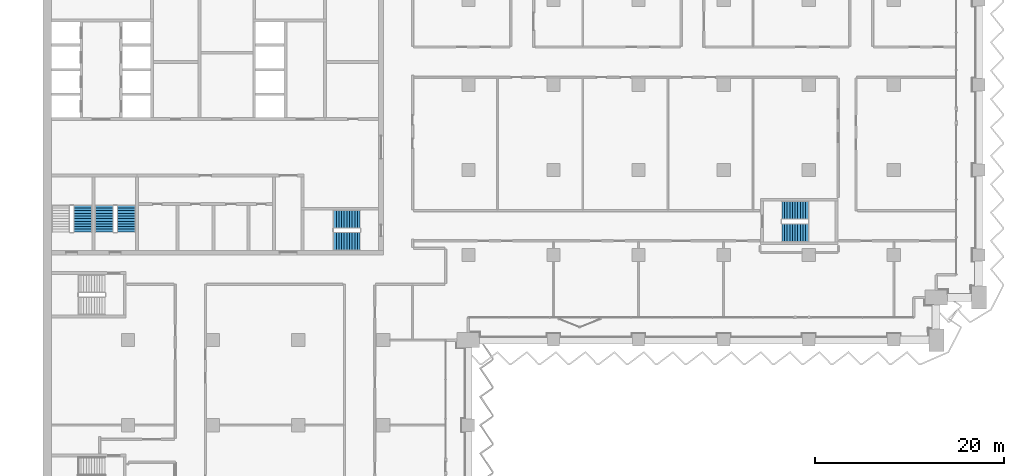
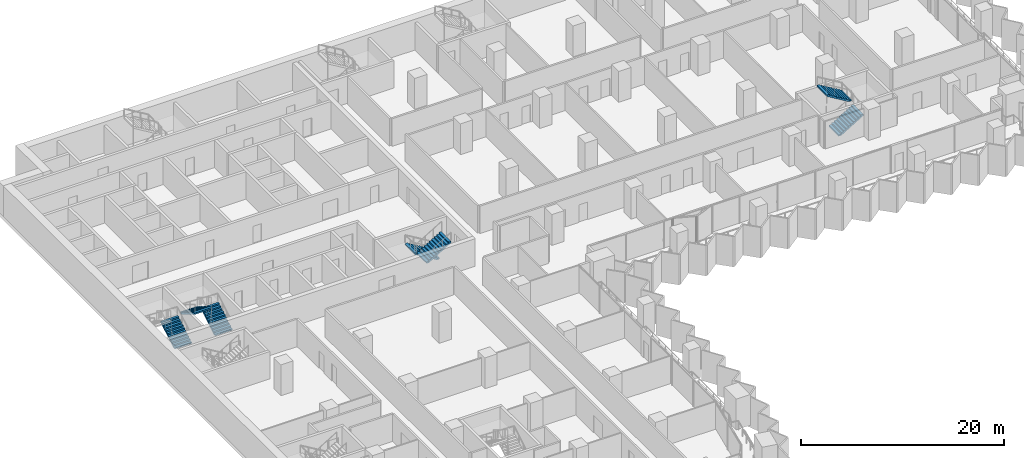
# One storey, part 20 of 28: 7 stair flights, 4 elements without a shape of their own.
"""IFC4 building model written with IfcOpenShell, lengths in metres."""

from ifc_helpers import new_model, si_unit, direction, frame, origin, place, context, subcontext, project, spatial, polyline, outline, extrude, material, type_object, element, aggregate, save


model = new_model("IFC4")

# Units and contexts
model_context = context("Model", 3, precision=1e-05, world=origin(), true_north=direction((0.0, 1.0)))
body_context = subcontext(model_context, "Body", "Model", "MODEL_VIEW")
ifc_project = project(units=[si_unit("LENGTHUNIT", "METRE"), si_unit("AREAUNIT", "SQUARE_METRE"), si_unit("VOLUMEUNIT", "CUBIC_METRE"), si_unit("PLANEANGLEUNIT", "RADIAN"), si_unit("MASSUNIT", "GRAM", prefix="KILO")], contexts=[model_context])

# Site, building, storey
site_placement = place(None, origin())
site = spatial("IfcSite", under=ifc_project, at=site_placement, CompositionType="ELEMENT")
building_placement = place(site_placement, origin())
building = spatial("IfcBuilding", under=site, at=building_placement, Name="Hunhe Ridgeline Campus", CompositionType="ELEMENT")
storey_placement = place(building_placement, frame((0.0, 0.0, 39.5)))
storey = spatial("IfcBuildingStorey", under=building, at=storey_placement, Name="L08", CompositionType="ELEMENT", Elevation=39.5)

# Stair, stair flights
ifc_material = material(Name="Concrete C40", Category="concrete")
stair_type = type_object("IfcStairType", Name="Reinforced concrete dog-leg stair 1950 Concrete C40", PredefinedType="HALF_TURN_STAIR", material=ifc_material)
stair_1_placement = place(storey_placement, origin())
stair_1 = element("IfcStair", 1, at=stair_1_placement, inside=storey, type_object=stair_type, Name="L08 S2", PredefinedType="HALF_TURN_STAIR")
stair_flight_type = type_object("IfcStairFlightType", Name="Reinforced concrete stair flight 1950 Concrete C40", PredefinedType="STRAIGHT", material=ifc_material)
stair_flight_1_placement = place(storey_placement, frame((33.550048828125, 66.77490234375, 0.0), z_axis=(0.0, 0.0, 1.0), x_axis=(-1.0, 0.0, 0.0)))
stair_flight_1 = element("IfcStairFlight", 2, at=stair_flight_1_placement, type_object=stair_flight_type, Name="ST2 flight 1", NumberOfRisers=11, NumberOfTreads=10, PredefinedType="STRAIGHT", RiserHeight=0.168181818, TreadLength=0.28, context=body_context, shape_type="SweptSolid", body=[
    extrude(outline(polyline([(0.0, 0.0), (0.0, 0.168212890625), (0.280029296875, 0.168212890625), (0.280029296875, 0.33642578125), (0.56005859375, 0.33642578125), (0.56005859375, 0.504638671875), (0.840087890625, 0.504638671875), (0.840087890625, 0.672607421875), (1.1201171875, 0.672607421875), (1.1201171875, 0.8408203125), (1.39990234375, 0.8408203125), (1.39990234375, 1.009033203125), (1.679931640625, 1.009033203125), (1.679931640625, 1.17724609375), (1.9599609375, 1.17724609375), (1.9599609375, 1.345458984375), (2.239990234375, 1.345458984375), (2.239990234375, 1.513671875), (2.52001953125, 1.513671875), (2.52001953125, 1.681884765625), (2.800048828125, 1.681884765625), (2.800048828125, 1.85009765625), (2.800048828125, 1.5068359375), (0.291015625, 0.0), (0.0, 0.0)])), frame((0.0, 0.97509765625, 0.0), z_axis=(0.0, -1.0, 0.0), x_axis=(1.0, 0.0, 0.0)), (0.0, 0.0, 1.0), 1.949951171875),
    extrude(outline(polyline([(0.030029296875, 0.030029296875), (0.030029296875, 0.13818359375), (0.31005859375, 0.13818359375), (0.31005859375, 0.306396484375), (0.590087890625, 0.306396484375), (0.590087890625, 0.474609375), (0.8701171875, 0.474609375), (0.8701171875, 0.642578125), (1.14990234375, 0.642578125), (1.14990234375, 0.810791015625), (1.429931640625, 0.810791015625), (1.429931640625, 0.97900390625), (1.7099609375, 0.97900390625), (1.7099609375, 1.147216796875), (1.989990234375, 1.147216796875), (1.989990234375, 1.3154296875), (2.27001953125, 1.3154296875), (2.27001953125, 1.483642578125), (2.550048828125, 1.483642578125), (2.550048828125, 1.65185546875), (2.77001953125, 1.65185546875), (2.77001953125, 1.52392578125), (0.28271484375, 0.030029296875), (0.030029296875, 0.030029296875)])), frame((0.0, -0.070068359375, 0.0), z_axis=(0.0, -1.0, 0.0), x_axis=(1.0, 0.0, 0.0)), (0.0, 0.0, 1.0), 0.019775390625),
    extrude(outline(polyline([(0.030029296875, 0.030029296875), (0.030029296875, 0.13818359375), (0.31005859375, 0.13818359375), (0.31005859375, 0.306396484375), (0.590087890625, 0.306396484375), (0.590087890625, 0.474609375), (0.8701171875, 0.474609375), (0.8701171875, 0.642578125), (1.14990234375, 0.642578125), (1.14990234375, 0.810791015625), (1.429931640625, 0.810791015625), (1.429931640625, 0.97900390625), (1.7099609375, 0.97900390625), (1.7099609375, 1.147216796875), (1.989990234375, 1.147216796875), (1.989990234375, 1.3154296875), (2.27001953125, 1.3154296875), (2.27001953125, 1.483642578125), (2.550048828125, 1.483642578125), (2.550048828125, 1.65185546875), (2.77001953125, 1.65185546875), (2.77001953125, 1.52392578125), (0.28271484375, 0.030029296875), (0.030029296875, 0.030029296875)])), frame((0.0, 0.010009765625, 0.0), z_axis=(0.0, -1.0, 0.0), x_axis=(1.0, 0.0, 0.0)), (0.0, 0.0, 1.0), 0.019775390625),
    extrude(outline(polyline([(0.030029296875, 0.030029296875), (0.030029296875, 0.13818359375), (0.31005859375, 0.13818359375), (0.31005859375, 0.306396484375), (0.590087890625, 0.306396484375), (0.590087890625, 0.474609375), (0.8701171875, 0.474609375), (0.8701171875, 0.642578125), (1.14990234375, 0.642578125), (1.14990234375, 0.810791015625), (1.429931640625, 0.810791015625), (1.429931640625, 0.97900390625), (1.7099609375, 0.97900390625), (1.7099609375, 1.147216796875), (1.989990234375, 1.147216796875), (1.989990234375, 1.3154296875), (2.27001953125, 1.3154296875), (2.27001953125, 1.483642578125), (2.550048828125, 1.483642578125), (2.550048828125, 1.65185546875), (2.77001953125, 1.65185546875), (2.77001953125, 1.52392578125), (0.28271484375, 0.030029296875), (0.030029296875, 0.030029296875)])), frame((0.0, 0.090087890625, 0.0), z_axis=(0.0, -1.0, 0.0), x_axis=(1.0, 0.0, 0.0)), (0.0, 0.0, 1.0), 0.019775390625),
])
stair_flight_2_placement = place(storey_placement, frame((30.75, 64.47509765625, 1.85009765625), z_axis=(0.0, 0.0, 1.0), x_axis=(1.0, 0.0, 0.0)))
stair_flight_2 = element("IfcStairFlight", 3, at=stair_flight_2_placement, type_object=stair_flight_type, Name="ST2 flight 2", NumberOfRisers=11, NumberOfTreads=10, PredefinedType="STRAIGHT", RiserHeight=0.168181818, TreadLength=0.28, context=body_context, shape_type="SweptSolid", body=[
    extrude(outline(polyline([(0.0, 0.0), (0.0, 0.168212890625), (0.280029296875, 0.168212890625), (0.280029296875, 0.33642578125), (0.56005859375, 0.33642578125), (0.56005859375, 0.504638671875), (0.840087890625, 0.504638671875), (0.840087890625, 0.672607421875), (1.1201171875, 0.672607421875), (1.1201171875, 0.8408203125), (1.39990234375, 0.8408203125), (1.39990234375, 1.009033203125), (1.679931640625, 1.009033203125), (1.679931640625, 1.17724609375), (1.9599609375, 1.17724609375), (1.9599609375, 1.345458984375), (2.239990234375, 1.345458984375), (2.239990234375, 1.513671875), (2.52001953125, 1.513671875), (2.52001953125, 1.681884765625), (2.800048828125, 1.681884765625), (2.800048828125, 1.85009765625), (2.800048828125, 1.5068359375), (0.291015625, 0.0), (0.0, 0.0)])), frame((0.0, 0.97509765625, 0.0), z_axis=(0.0, -1.0, 0.0), x_axis=(1.0, 0.0, 0.0)), (0.0, 0.0, 1.0), 1.949951171875),
    extrude(outline(polyline([(0.030029296875, 0.030029296875), (0.030029296875, 0.13818359375), (0.31005859375, 0.13818359375), (0.31005859375, 0.306396484375), (0.590087890625, 0.306396484375), (0.590087890625, 0.474609375), (0.8701171875, 0.474609375), (0.8701171875, 0.642578125), (1.14990234375, 0.642578125), (1.14990234375, 0.810791015625), (1.429931640625, 0.810791015625), (1.429931640625, 0.97900390625), (1.7099609375, 0.97900390625), (1.7099609375, 1.147216796875), (1.989990234375, 1.147216796875), (1.989990234375, 1.3154296875), (2.27001953125, 1.3154296875), (2.27001953125, 1.483642578125), (2.550048828125, 1.483642578125), (2.550048828125, 1.65185546875), (2.77001953125, 1.65185546875), (2.77001953125, 1.52392578125), (0.28271484375, 0.030029296875), (0.030029296875, 0.030029296875)])), frame((0.0, -0.070068359375, 0.0), z_axis=(0.0, -1.0, 0.0), x_axis=(1.0, 0.0, 0.0)), (0.0, 0.0, 1.0), 0.019775390625),
    extrude(outline(polyline([(0.030029296875, 0.030029296875), (0.030029296875, 0.13818359375), (0.31005859375, 0.13818359375), (0.31005859375, 0.306396484375), (0.590087890625, 0.306396484375), (0.590087890625, 0.474609375), (0.8701171875, 0.474609375), (0.8701171875, 0.642578125), (1.14990234375, 0.642578125), (1.14990234375, 0.810791015625), (1.429931640625, 0.810791015625), (1.429931640625, 0.97900390625), (1.7099609375, 0.97900390625), (1.7099609375, 1.147216796875), (1.989990234375, 1.147216796875), (1.989990234375, 1.3154296875), (2.27001953125, 1.3154296875), (2.27001953125, 1.483642578125), (2.550048828125, 1.483642578125), (2.550048828125, 1.65185546875), (2.77001953125, 1.65185546875), (2.77001953125, 1.52392578125), (0.28271484375, 0.030029296875), (0.030029296875, 0.030029296875)])), frame((0.0, 0.010009765625, 0.0), z_axis=(0.0, -1.0, 0.0), x_axis=(1.0, 0.0, 0.0)), (0.0, 0.0, 1.0), 0.019775390625),
    extrude(outline(polyline([(0.030029296875, 0.030029296875), (0.030029296875, 0.13818359375), (0.31005859375, 0.13818359375), (0.31005859375, 0.306396484375), (0.590087890625, 0.306396484375), (0.590087890625, 0.474609375), (0.8701171875, 0.474609375), (0.8701171875, 0.642578125), (1.14990234375, 0.642578125), (1.14990234375, 0.810791015625), (1.429931640625, 0.810791015625), (1.429931640625, 0.97900390625), (1.7099609375, 0.97900390625), (1.7099609375, 1.147216796875), (1.989990234375, 1.147216796875), (1.989990234375, 1.3154296875), (2.27001953125, 1.3154296875), (2.27001953125, 1.483642578125), (2.550048828125, 1.483642578125), (2.550048828125, 1.65185546875), (2.77001953125, 1.65185546875), (2.77001953125, 1.52392578125), (0.28271484375, 0.030029296875), (0.030029296875, 0.030029296875)])), frame((0.0, 0.090087890625, 0.0), z_axis=(0.0, -1.0, 0.0), x_axis=(1.0, 0.0, 0.0)), (0.0, 0.0, 1.0), 0.019775390625),
])
aggregate(stair_1, [stair_flight_1, stair_flight_2])

# Stair, stair flight
stair_2_placement = place(storey_placement, origin())
stair_2 = element("IfcStair", 4, at=stair_2_placement, inside=storey, type_object=stair_type, Name="L08 S3", PredefinedType="HALF_TURN_STAIR")
stair_flight_3_placement = place(storey_placement, frame((4.22509765625, 65.449951171875, 0.0), z_axis=(0.0, 0.0, 1.0), x_axis=(0.0, 1.0, 0.0)))
stair_flight_3 = element("IfcStairFlight", 5, at=stair_flight_3_placement, type_object=stair_flight_type, Name="ST3 flight 1", NumberOfRisers=11, NumberOfTreads=10, PredefinedType="STRAIGHT", RiserHeight=0.168181818, TreadLength=0.28, context=body_context, shape_type="SweptSolid", body=[
    extrude(outline(polyline([(0.0, 0.0), (0.0, 0.168212890625), (0.280029296875, 0.168212890625), (0.280029296875, 0.33642578125), (0.56005859375, 0.33642578125), (0.56005859375, 0.504638671875), (0.840087890625, 0.504638671875), (0.840087890625, 0.672607421875), (1.1201171875, 0.672607421875), (1.1201171875, 0.8408203125), (1.39990234375, 0.8408203125), (1.39990234375, 1.009033203125), (1.679931640625, 1.009033203125), (1.679931640625, 1.17724609375), (1.9599609375, 1.17724609375), (1.9599609375, 1.345458984375), (2.239990234375, 1.345458984375), (2.239990234375, 1.513671875), (2.52001953125, 1.513671875), (2.52001953125, 1.681884765625), (2.800048828125, 1.681884765625), (2.800048828125, 1.85009765625), (2.800048828125, 1.5068359375), (0.291015625, 0.0), (0.0, 0.0)])), frame((0.0, 0.97509765625, 0.0), z_axis=(0.0, -1.0, 0.0), x_axis=(1.0, 0.0, 0.0)), (0.0, 0.0, 1.0), 1.949951171875),
    extrude(outline(polyline([(0.030029296875, 0.030029296875), (0.030029296875, 0.13818359375), (0.31005859375, 0.13818359375), (0.31005859375, 0.306396484375), (0.590087890625, 0.306396484375), (0.590087890625, 0.474609375), (0.8701171875, 0.474609375), (0.8701171875, 0.642578125), (1.14990234375, 0.642578125), (1.14990234375, 0.810791015625), (1.429931640625, 0.810791015625), (1.429931640625, 0.97900390625), (1.7099609375, 0.97900390625), (1.7099609375, 1.147216796875), (1.989990234375, 1.147216796875), (1.989990234375, 1.3154296875), (2.27001953125, 1.3154296875), (2.27001953125, 1.483642578125), (2.550048828125, 1.483642578125), (2.550048828125, 1.65185546875), (2.77001953125, 1.65185546875), (2.77001953125, 1.52392578125), (0.28271484375, 0.030029296875), (0.030029296875, 0.030029296875)])), frame((0.0, -0.070068359375, 0.0), z_axis=(0.0, -1.0, 0.0), x_axis=(1.0, 0.0, 0.0)), (0.0, 0.0, 1.0), 0.019775390625),
    extrude(outline(polyline([(0.030029296875, 0.030029296875), (0.030029296875, 0.13818359375), (0.31005859375, 0.13818359375), (0.31005859375, 0.306396484375), (0.590087890625, 0.306396484375), (0.590087890625, 0.474609375), (0.8701171875, 0.474609375), (0.8701171875, 0.642578125), (1.14990234375, 0.642578125), (1.14990234375, 0.810791015625), (1.429931640625, 0.810791015625), (1.429931640625, 0.97900390625), (1.7099609375, 0.97900390625), (1.7099609375, 1.147216796875), (1.989990234375, 1.147216796875), (1.989990234375, 1.3154296875), (2.27001953125, 1.3154296875), (2.27001953125, 1.483642578125), (2.550048828125, 1.483642578125), (2.550048828125, 1.65185546875), (2.77001953125, 1.65185546875), (2.77001953125, 1.52392578125), (0.28271484375, 0.030029296875), (0.030029296875, 0.030029296875)])), frame((0.0, 0.010009765625, 0.0), z_axis=(0.0, -1.0, 0.0), x_axis=(1.0, 0.0, 0.0)), (0.0, 0.0, 1.0), 0.019775390625),
    extrude(outline(polyline([(0.030029296875, 0.030029296875), (0.030029296875, 0.13818359375), (0.31005859375, 0.13818359375), (0.31005859375, 0.306396484375), (0.590087890625, 0.306396484375), (0.590087890625, 0.474609375), (0.8701171875, 0.474609375), (0.8701171875, 0.642578125), (1.14990234375, 0.642578125), (1.14990234375, 0.810791015625), (1.429931640625, 0.810791015625), (1.429931640625, 0.97900390625), (1.7099609375, 0.97900390625), (1.7099609375, 1.147216796875), (1.989990234375, 1.147216796875), (1.989990234375, 1.3154296875), (2.27001953125, 1.3154296875), (2.27001953125, 1.483642578125), (2.550048828125, 1.483642578125), (2.550048828125, 1.65185546875), (2.77001953125, 1.65185546875), (2.77001953125, 1.52392578125), (0.28271484375, 0.030029296875), (0.030029296875, 0.030029296875)])), frame((0.0, 0.090087890625, 0.0), z_axis=(0.0, -1.0, 0.0), x_axis=(1.0, 0.0, 0.0)), (0.0, 0.0, 1.0), 0.019775390625),
])
aggregate(stair_2, [stair_flight_3])

# Stair, stair flights
stair_3_placement = place(storey_placement, origin())
stair_3 = element("IfcStair", 6, at=stair_3_placement, inside=storey, type_object=stair_type, Name="L08 S4", PredefinedType="HALF_TURN_STAIR")
stair_flight_4_placement = place(storey_placement, frame((8.824951171875, 65.449951171875, 0.0), z_axis=(0.0, 0.0, 1.0), x_axis=(0.0, 1.0, 0.0)))
stair_flight_4 = element("IfcStairFlight", 7, at=stair_flight_4_placement, type_object=stair_flight_type, Name="ST4 flight 1", NumberOfRisers=11, NumberOfTreads=10, PredefinedType="STRAIGHT", RiserHeight=0.168181818, TreadLength=0.28, context=body_context, shape_type="SweptSolid", body=[
    extrude(outline(polyline([(0.0, 0.0), (0.0, 0.168212890625), (0.280029296875, 0.168212890625), (0.280029296875, 0.33642578125), (0.56005859375, 0.33642578125), (0.56005859375, 0.504638671875), (0.840087890625, 0.504638671875), (0.840087890625, 0.672607421875), (1.1201171875, 0.672607421875), (1.1201171875, 0.8408203125), (1.39990234375, 0.8408203125), (1.39990234375, 1.009033203125), (1.679931640625, 1.009033203125), (1.679931640625, 1.17724609375), (1.9599609375, 1.17724609375), (1.9599609375, 1.345458984375), (2.239990234375, 1.345458984375), (2.239990234375, 1.513671875), (2.52001953125, 1.513671875), (2.52001953125, 1.681884765625), (2.800048828125, 1.681884765625), (2.800048828125, 1.85009765625), (2.800048828125, 1.5068359375), (0.291015625, 0.0), (0.0, 0.0)])), frame((0.0, 0.97509765625, 0.0), z_axis=(0.0, -1.0, 0.0), x_axis=(1.0, 0.0, 0.0)), (0.0, 0.0, 1.0), 1.949951171875),
    extrude(outline(polyline([(0.030029296875, 0.030029296875), (0.030029296875, 0.13818359375), (0.31005859375, 0.13818359375), (0.31005859375, 0.306396484375), (0.590087890625, 0.306396484375), (0.590087890625, 0.474609375), (0.8701171875, 0.474609375), (0.8701171875, 0.642578125), (1.14990234375, 0.642578125), (1.14990234375, 0.810791015625), (1.429931640625, 0.810791015625), (1.429931640625, 0.97900390625), (1.7099609375, 0.97900390625), (1.7099609375, 1.147216796875), (1.989990234375, 1.147216796875), (1.989990234375, 1.3154296875), (2.27001953125, 1.3154296875), (2.27001953125, 1.483642578125), (2.550048828125, 1.483642578125), (2.550048828125, 1.65185546875), (2.77001953125, 1.65185546875), (2.77001953125, 1.52392578125), (0.28271484375, 0.030029296875), (0.030029296875, 0.030029296875)])), frame((0.0, -0.070068359375, 0.0), z_axis=(0.0, -1.0, 0.0), x_axis=(1.0, 0.0, 0.0)), (0.0, 0.0, 1.0), 0.019775390625),
    extrude(outline(polyline([(0.030029296875, 0.030029296875), (0.030029296875, 0.13818359375), (0.31005859375, 0.13818359375), (0.31005859375, 0.306396484375), (0.590087890625, 0.306396484375), (0.590087890625, 0.474609375), (0.8701171875, 0.474609375), (0.8701171875, 0.642578125), (1.14990234375, 0.642578125), (1.14990234375, 0.810791015625), (1.429931640625, 0.810791015625), (1.429931640625, 0.97900390625), (1.7099609375, 0.97900390625), (1.7099609375, 1.147216796875), (1.989990234375, 1.147216796875), (1.989990234375, 1.3154296875), (2.27001953125, 1.3154296875), (2.27001953125, 1.483642578125), (2.550048828125, 1.483642578125), (2.550048828125, 1.65185546875), (2.77001953125, 1.65185546875), (2.77001953125, 1.52392578125), (0.28271484375, 0.030029296875), (0.030029296875, 0.030029296875)])), frame((0.0, 0.010009765625, 0.0), z_axis=(0.0, -1.0, 0.0), x_axis=(1.0, 0.0, 0.0)), (0.0, 0.0, 1.0), 0.019775390625),
    extrude(outline(polyline([(0.030029296875, 0.030029296875), (0.030029296875, 0.13818359375), (0.31005859375, 0.13818359375), (0.31005859375, 0.306396484375), (0.590087890625, 0.306396484375), (0.590087890625, 0.474609375), (0.8701171875, 0.474609375), (0.8701171875, 0.642578125), (1.14990234375, 0.642578125), (1.14990234375, 0.810791015625), (1.429931640625, 0.810791015625), (1.429931640625, 0.97900390625), (1.7099609375, 0.97900390625), (1.7099609375, 1.147216796875), (1.989990234375, 1.147216796875), (1.989990234375, 1.3154296875), (2.27001953125, 1.3154296875), (2.27001953125, 1.483642578125), (2.550048828125, 1.483642578125), (2.550048828125, 1.65185546875), (2.77001953125, 1.65185546875), (2.77001953125, 1.52392578125), (0.28271484375, 0.030029296875), (0.030029296875, 0.030029296875)])), frame((0.0, 0.090087890625, 0.0), z_axis=(0.0, -1.0, 0.0), x_axis=(1.0, 0.0, 0.0)), (0.0, 0.0, 1.0), 0.019775390625),
])
stair_flight_5_placement = place(storey_placement, frame((6.47509765625, 68.25, 1.85009765625), z_axis=(0.0, 0.0, 1.0), x_axis=(0.0, -1.0, 0.0)))
stair_flight_5 = element("IfcStairFlight", 8, at=stair_flight_5_placement, type_object=stair_flight_type, Name="ST4 flight 2", NumberOfRisers=11, NumberOfTreads=10, PredefinedType="STRAIGHT", RiserHeight=0.168181818, TreadLength=0.28, context=body_context, shape_type="SweptSolid", body=[
    extrude(outline(polyline([(0.0, 0.0), (0.0, 0.168212890625), (0.280029296875, 0.168212890625), (0.280029296875, 0.33642578125), (0.56005859375, 0.33642578125), (0.56005859375, 0.504638671875), (0.840087890625, 0.504638671875), (0.840087890625, 0.672607421875), (1.1201171875, 0.672607421875), (1.1201171875, 0.8408203125), (1.39990234375, 0.8408203125), (1.39990234375, 1.009033203125), (1.679931640625, 1.009033203125), (1.679931640625, 1.17724609375), (1.9599609375, 1.17724609375), (1.9599609375, 1.345458984375), (2.239990234375, 1.345458984375), (2.239990234375, 1.513671875), (2.52001953125, 1.513671875), (2.52001953125, 1.681884765625), (2.800048828125, 1.681884765625), (2.800048828125, 1.85009765625), (2.800048828125, 1.5068359375), (0.291015625, 0.0), (0.0, 0.0)])), frame((0.0, 0.97509765625, 0.0), z_axis=(0.0, -1.0, 0.0), x_axis=(1.0, 0.0, 0.0)), (0.0, 0.0, 1.0), 1.949951171875),
    extrude(outline(polyline([(0.030029296875, 0.030029296875), (0.030029296875, 0.13818359375), (0.31005859375, 0.13818359375), (0.31005859375, 0.306396484375), (0.590087890625, 0.306396484375), (0.590087890625, 0.474609375), (0.8701171875, 0.474609375), (0.8701171875, 0.642578125), (1.14990234375, 0.642578125), (1.14990234375, 0.810791015625), (1.429931640625, 0.810791015625), (1.429931640625, 0.97900390625), (1.7099609375, 0.97900390625), (1.7099609375, 1.147216796875), (1.989990234375, 1.147216796875), (1.989990234375, 1.3154296875), (2.27001953125, 1.3154296875), (2.27001953125, 1.483642578125), (2.550048828125, 1.483642578125), (2.550048828125, 1.65185546875), (2.77001953125, 1.65185546875), (2.77001953125, 1.52392578125), (0.28271484375, 0.030029296875), (0.030029296875, 0.030029296875)])), frame((0.0, -0.070068359375, 0.0), z_axis=(0.0, -1.0, 0.0), x_axis=(1.0, 0.0, 0.0)), (0.0, 0.0, 1.0), 0.019775390625),
    extrude(outline(polyline([(0.030029296875, 0.030029296875), (0.030029296875, 0.13818359375), (0.31005859375, 0.13818359375), (0.31005859375, 0.306396484375), (0.590087890625, 0.306396484375), (0.590087890625, 0.474609375), (0.8701171875, 0.474609375), (0.8701171875, 0.642578125), (1.14990234375, 0.642578125), (1.14990234375, 0.810791015625), (1.429931640625, 0.810791015625), (1.429931640625, 0.97900390625), (1.7099609375, 0.97900390625), (1.7099609375, 1.147216796875), (1.989990234375, 1.147216796875), (1.989990234375, 1.3154296875), (2.27001953125, 1.3154296875), (2.27001953125, 1.483642578125), (2.550048828125, 1.483642578125), (2.550048828125, 1.65185546875), (2.77001953125, 1.65185546875), (2.77001953125, 1.52392578125), (0.28271484375, 0.030029296875), (0.030029296875, 0.030029296875)])), frame((0.0, 0.010009765625, 0.0), z_axis=(0.0, -1.0, 0.0), x_axis=(1.0, 0.0, 0.0)), (0.0, 0.0, 1.0), 0.019775390625),
    extrude(outline(polyline([(0.030029296875, 0.030029296875), (0.030029296875, 0.13818359375), (0.31005859375, 0.13818359375), (0.31005859375, 0.306396484375), (0.590087890625, 0.306396484375), (0.590087890625, 0.474609375), (0.8701171875, 0.474609375), (0.8701171875, 0.642578125), (1.14990234375, 0.642578125), (1.14990234375, 0.810791015625), (1.429931640625, 0.810791015625), (1.429931640625, 0.97900390625), (1.7099609375, 0.97900390625), (1.7099609375, 1.147216796875), (1.989990234375, 1.147216796875), (1.989990234375, 1.3154296875), (2.27001953125, 1.3154296875), (2.27001953125, 1.483642578125), (2.550048828125, 1.483642578125), (2.550048828125, 1.65185546875), (2.77001953125, 1.65185546875), (2.77001953125, 1.52392578125), (0.28271484375, 0.030029296875), (0.030029296875, 0.030029296875)])), frame((0.0, 0.090087890625, 0.0), z_axis=(0.0, -1.0, 0.0), x_axis=(1.0, 0.0, 0.0)), (0.0, 0.0, 1.0), 0.019775390625),
])
aggregate(stair_3, [stair_flight_4, stair_flight_5])

stair_4_placement = place(storey_placement, origin())
stair_4 = element("IfcStair", 9, at=stair_4_placement, inside=storey, type_object=stair_type, Name="L08 E5", PredefinedType="HALF_TURN_STAIR")
stair_flight_6_placement = place(storey_placement, frame((78.14990234375, 65.375, 0.0), z_axis=(0.0, 0.0, 1.0), x_axis=(1.0, 0.0, 0.0)))
stair_flight_6 = element("IfcStairFlight", 10, at=stair_flight_6_placement, type_object=stair_flight_type, Name="ST10 flight 1", NumberOfRisers=11, NumberOfTreads=10, PredefinedType="STRAIGHT", RiserHeight=0.168181818, TreadLength=0.28, context=body_context, shape_type="SweptSolid", body=[
    extrude(outline(polyline([(0.0, 0.0), (0.0, 0.168212890625), (0.280029296875, 0.168212890625), (0.280029296875, 0.33642578125), (0.56005859375, 0.33642578125), (0.56005859375, 0.504638671875), (0.840087890625, 0.504638671875), (0.840087890625, 0.672607421875), (1.1201171875, 0.672607421875), (1.1201171875, 0.8408203125), (1.39990234375, 0.8408203125), (1.39990234375, 1.009033203125), (1.679931640625, 1.009033203125), (1.679931640625, 1.17724609375), (1.9599609375, 1.17724609375), (1.9599609375, 1.345458984375), (2.239990234375, 1.345458984375), (2.239990234375, 1.513671875), (2.52001953125, 1.513671875), (2.52001953125, 1.681884765625), (2.800048828125, 1.681884765625), (2.800048828125, 1.85009765625), (2.800048828125, 1.5068359375), (0.291015625, 0.0), (0.0, 0.0)])), frame((0.0, 0.97509765625, 0.0), z_axis=(0.0, -1.0, 0.0), x_axis=(1.0, 0.0, 0.0)), (0.0, 0.0, 1.0), 1.949951171875),
    extrude(outline(polyline([(0.030029296875, 0.030029296875), (0.030029296875, 0.13818359375), (0.31005859375, 0.13818359375), (0.31005859375, 0.306396484375), (0.590087890625, 0.306396484375), (0.590087890625, 0.474609375), (0.8701171875, 0.474609375), (0.8701171875, 0.642578125), (1.14990234375, 0.642578125), (1.14990234375, 0.810791015625), (1.429931640625, 0.810791015625), (1.429931640625, 0.97900390625), (1.7099609375, 0.97900390625), (1.7099609375, 1.147216796875), (1.989990234375, 1.147216796875), (1.989990234375, 1.3154296875), (2.27001953125, 1.3154296875), (2.27001953125, 1.483642578125), (2.550048828125, 1.483642578125), (2.550048828125, 1.65185546875), (2.77001953125, 1.65185546875), (2.77001953125, 1.52392578125), (0.28271484375, 0.030029296875), (0.030029296875, 0.030029296875)])), frame((0.0, -0.070068359375, 0.0), z_axis=(0.0, -1.0, 0.0), x_axis=(1.0, 0.0, 0.0)), (0.0, 0.0, 1.0), 0.019775390625),
    extrude(outline(polyline([(0.030029296875, 0.030029296875), (0.030029296875, 0.13818359375), (0.31005859375, 0.13818359375), (0.31005859375, 0.306396484375), (0.590087890625, 0.306396484375), (0.590087890625, 0.474609375), (0.8701171875, 0.474609375), (0.8701171875, 0.642578125), (1.14990234375, 0.642578125), (1.14990234375, 0.810791015625), (1.429931640625, 0.810791015625), (1.429931640625, 0.97900390625), (1.7099609375, 0.97900390625), (1.7099609375, 1.147216796875), (1.989990234375, 1.147216796875), (1.989990234375, 1.3154296875), (2.27001953125, 1.3154296875), (2.27001953125, 1.483642578125), (2.550048828125, 1.483642578125), (2.550048828125, 1.65185546875), (2.77001953125, 1.65185546875), (2.77001953125, 1.52392578125), (0.28271484375, 0.030029296875), (0.030029296875, 0.030029296875)])), frame((0.0, 0.010009765625, 0.0), z_axis=(0.0, -1.0, 0.0), x_axis=(1.0, 0.0, 0.0)), (0.0, 0.0, 1.0), 0.019775390625),
    extrude(outline(polyline([(0.030029296875, 0.030029296875), (0.030029296875, 0.13818359375), (0.31005859375, 0.13818359375), (0.31005859375, 0.306396484375), (0.590087890625, 0.306396484375), (0.590087890625, 0.474609375), (0.8701171875, 0.474609375), (0.8701171875, 0.642578125), (1.14990234375, 0.642578125), (1.14990234375, 0.810791015625), (1.429931640625, 0.810791015625), (1.429931640625, 0.97900390625), (1.7099609375, 0.97900390625), (1.7099609375, 1.147216796875), (1.989990234375, 1.147216796875), (1.989990234375, 1.3154296875), (2.27001953125, 1.3154296875), (2.27001953125, 1.483642578125), (2.550048828125, 1.483642578125), (2.550048828125, 1.65185546875), (2.77001953125, 1.65185546875), (2.77001953125, 1.52392578125), (0.28271484375, 0.030029296875), (0.030029296875, 0.030029296875)])), frame((0.0, 0.090087890625, 0.0), z_axis=(0.0, -1.0, 0.0), x_axis=(1.0, 0.0, 0.0)), (0.0, 0.0, 1.0), 0.019775390625),
])
stair_flight_7_placement = place(storey_placement, frame((80.949951171875, 67.72509765625, 1.85009765625), z_axis=(0.0, 0.0, 1.0), x_axis=(-1.0, 0.0, 0.0)))
stair_flight_7 = element("IfcStairFlight", 11, at=stair_flight_7_placement, type_object=stair_flight_type, Name="ST10 flight 2", NumberOfRisers=11, NumberOfTreads=10, PredefinedType="STRAIGHT", RiserHeight=0.168181818, TreadLength=0.28, context=body_context, shape_type="SweptSolid", body=[
    extrude(outline(polyline([(0.0, 0.0), (0.0, 0.168212890625), (0.280029296875, 0.168212890625), (0.280029296875, 0.33642578125), (0.56005859375, 0.33642578125), (0.56005859375, 0.504638671875), (0.840087890625, 0.504638671875), (0.840087890625, 0.672607421875), (1.1201171875, 0.672607421875), (1.1201171875, 0.8408203125), (1.39990234375, 0.8408203125), (1.39990234375, 1.009033203125), (1.679931640625, 1.009033203125), (1.679931640625, 1.17724609375), (1.9599609375, 1.17724609375), (1.9599609375, 1.345458984375), (2.239990234375, 1.345458984375), (2.239990234375, 1.513671875), (2.52001953125, 1.513671875), (2.52001953125, 1.681884765625), (2.800048828125, 1.681884765625), (2.800048828125, 1.85009765625), (2.800048828125, 1.5068359375), (0.291015625, 0.0), (0.0, 0.0)])), frame((0.0, 0.97509765625, 0.0), z_axis=(0.0, -1.0, 0.0), x_axis=(1.0, 0.0, 0.0)), (0.0, 0.0, 1.0), 1.949951171875),
    extrude(outline(polyline([(0.030029296875, 0.030029296875), (0.030029296875, 0.13818359375), (0.31005859375, 0.13818359375), (0.31005859375, 0.306396484375), (0.590087890625, 0.306396484375), (0.590087890625, 0.474609375), (0.8701171875, 0.474609375), (0.8701171875, 0.642578125), (1.14990234375, 0.642578125), (1.14990234375, 0.810791015625), (1.429931640625, 0.810791015625), (1.429931640625, 0.97900390625), (1.7099609375, 0.97900390625), (1.7099609375, 1.147216796875), (1.989990234375, 1.147216796875), (1.989990234375, 1.3154296875), (2.27001953125, 1.3154296875), (2.27001953125, 1.483642578125), (2.550048828125, 1.483642578125), (2.550048828125, 1.65185546875), (2.77001953125, 1.65185546875), (2.77001953125, 1.52392578125), (0.28271484375, 0.030029296875), (0.030029296875, 0.030029296875)])), frame((0.0, -0.070068359375, 0.0), z_axis=(0.0, -1.0, 0.0), x_axis=(1.0, 0.0, 0.0)), (0.0, 0.0, 1.0), 0.019775390625),
    extrude(outline(polyline([(0.030029296875, 0.030029296875), (0.030029296875, 0.13818359375), (0.31005859375, 0.13818359375), (0.31005859375, 0.306396484375), (0.590087890625, 0.306396484375), (0.590087890625, 0.474609375), (0.8701171875, 0.474609375), (0.8701171875, 0.642578125), (1.14990234375, 0.642578125), (1.14990234375, 0.810791015625), (1.429931640625, 0.810791015625), (1.429931640625, 0.97900390625), (1.7099609375, 0.97900390625), (1.7099609375, 1.147216796875), (1.989990234375, 1.147216796875), (1.989990234375, 1.3154296875), (2.27001953125, 1.3154296875), (2.27001953125, 1.483642578125), (2.550048828125, 1.483642578125), (2.550048828125, 1.65185546875), (2.77001953125, 1.65185546875), (2.77001953125, 1.52392578125), (0.28271484375, 0.030029296875), (0.030029296875, 0.030029296875)])), frame((0.0, 0.010009765625, 0.0), z_axis=(0.0, -1.0, 0.0), x_axis=(1.0, 0.0, 0.0)), (0.0, 0.0, 1.0), 0.019775390625),
    extrude(outline(polyline([(0.030029296875, 0.030029296875), (0.030029296875, 0.13818359375), (0.31005859375, 0.13818359375), (0.31005859375, 0.306396484375), (0.590087890625, 0.306396484375), (0.590087890625, 0.474609375), (0.8701171875, 0.474609375), (0.8701171875, 0.642578125), (1.14990234375, 0.642578125), (1.14990234375, 0.810791015625), (1.429931640625, 0.810791015625), (1.429931640625, 0.97900390625), (1.7099609375, 0.97900390625), (1.7099609375, 1.147216796875), (1.989990234375, 1.147216796875), (1.989990234375, 1.3154296875), (2.27001953125, 1.3154296875), (2.27001953125, 1.483642578125), (2.550048828125, 1.483642578125), (2.550048828125, 1.65185546875), (2.77001953125, 1.65185546875), (2.77001953125, 1.52392578125), (0.28271484375, 0.030029296875), (0.030029296875, 0.030029296875)])), frame((0.0, 0.090087890625, 0.0), z_axis=(0.0, -1.0, 0.0), x_axis=(1.0, 0.0, 0.0)), (0.0, 0.0, 1.0), 0.019775390625),
])
aggregate(stair_4, [stair_flight_6, stair_flight_7])

save(model, "model.ifc")
